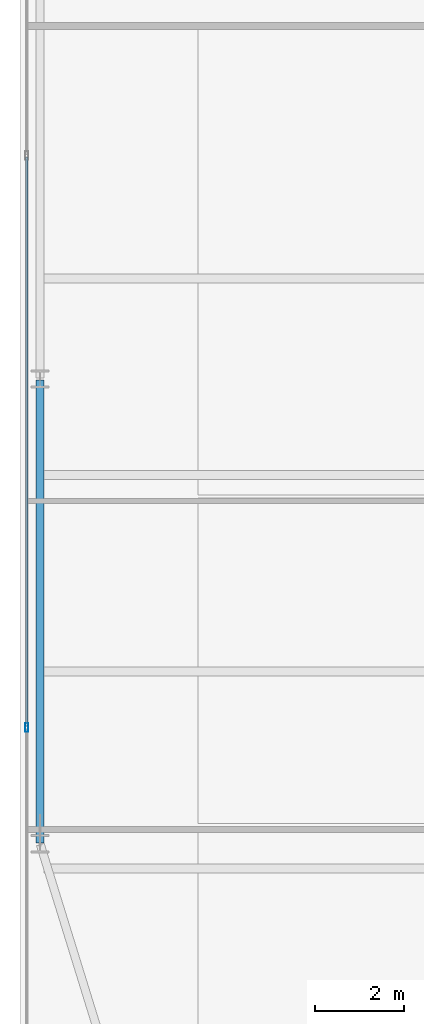
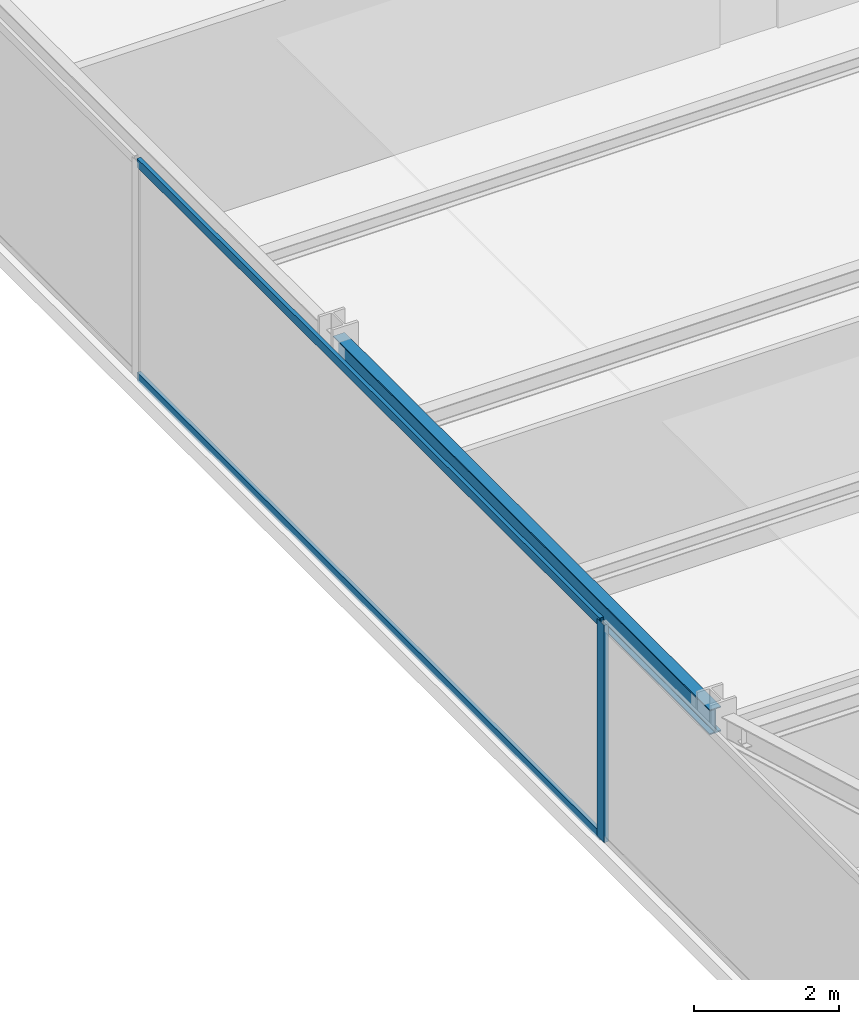
# One storey, part 8 of 32: 3 members, 1 beam, 1 element without a shape of its own.
"""IFC4 building model written with IfcOpenShell, lengths in metres."""

from ifc_helpers import new_model, si_unit, direction, frame, origin, origin_2d, place, context, subcontext, project, spatial, hollow_rectangle, i_section, extrude, source, transform, mapped, material, layer, layer_set, material_profile, profile_set, type_object, type_shapes, element, aggregate, save


model = new_model("IFC4")

# Units and contexts
model_context = context("Model", 3, precision=1e-05, world=origin(), true_north=direction((0.0, 1.0)))
body_context = subcontext(model_context, "Body", "Model", "MODEL_VIEW")
ifc_project = project(units=[si_unit("LENGTHUNIT", "METRE"), si_unit("AREAUNIT", "SQUARE_METRE"), si_unit("VOLUMEUNIT", "CUBIC_METRE"), si_unit("PLANEANGLEUNIT", "RADIAN"), si_unit("MASSUNIT", "GRAM", prefix="KILO")], contexts=[model_context])

# Site, building, storey
site_placement = place(None, origin())
site = spatial("IfcSite", under=ifc_project, at=site_placement, CompositionType="ELEMENT")
building_placement = place(site_placement, origin())
building = spatial("IfcBuilding", under=site, at=building_placement, Name="Varnel Quay Broadcast Tower", CompositionType="ELEMENT")
storey_placement = place(building_placement, frame((0.0, 0.0, 54.89990234375)))
storey = spatial("IfcBuildingStorey", under=building, at=storey_placement, Name="L12", CompositionType="ELEMENT", Elevation=54.89990234375)

# Beam
ifc_material_1 = material(Name="Structural Steel CSA G40.21 350W", Category="steel")
ifc_material_profile_1 = material_profile(ifc_material_1, i_section(OverallWidth=0.180908203125, OverallDepth=0.4169921875, WebThickness=0.010986328125, FlangeThickness=0.018310546875, FilletRadius=0.011962890625, at=origin_2d()), Name="W410X85")
ifc_profile_set_1 = profile_set([ifc_material_profile_1], Name="Structural Steel CSA G40.21 350W")
beam_type = type_object("IfcBeamType", Name="Beam_W410X85", PredefinedType="SPANDREL", material=ifc_profile_set_1)
shared_shape_1 = source(origin(), body_context, "Body", "SweptSolid", [
    extrude(i_section(OverallWidth=0.180908203125, OverallDepth=0.4169921875, WebThickness=0.010986328125, FlangeThickness=0.018310546875, FilletRadius=0.011962890625, at=origin_2d()), origin(), (0.0, 0.0, 1.0), 10.35986328125),
])
type_shapes(beam_type, [shared_shape_1])
beam_placement = place(storey_placement, frame((2.449951171875, 15.02001953125, 3.441650390625), z_axis=(0.0, 1.0, 0.0), x_axis=(-1.0, 0.0, 0.0)))
element("IfcBeam", 1, at=beam_placement, inside=storey, type_object=beam_type, Name="L12 West Spandrel TC-W1-TC-W2", PredefinedType="SPANDREL", context=body_context, shape_type="MappedRepresentation", body=[
    mapped(shared_shape_1, transform((0.0, 0.0, 0.0), x_axis=(1.0, 0.0, 0.0), y_axis=(0.0, 1.0, 0.0), z_axis=(0.0, 0.0, 1.0), scale=1.0)),
])

# Curtain wall, members
ifc_material_2 = material(Name="Anodised Bronze Aluminium 6063-T6", Category="aluminium")
ifc_layer = layer(ifc_material_2, 0.18994140625, Name="Anodised Bronze Aluminium 6063-T6")
ifc_layer_set = layer_set([ifc_layer], Name="Anodised Bronze Aluminium 6063-T6")
curtain_wall_type = type_object("IfcCurtainWallType", Name="CW_LowerTower", PredefinedType="NOTDEFINED", material=ifc_layer_set)
curtain_wall_placement = place(storey_placement, origin())
curtain_wall = element("IfcCurtainWall", 2, at=curtain_wall_placement, inside=storey, type_object=curtain_wall_type, Name="L12 West Unitised Curtain Wall", PredefinedType="NOTDEFINED")
ifc_material_profile_2 = material_profile(ifc_material_2, hollow_rectangle(XDim=0.06005859375, YDim=0.14501953125, WallThickness=0.00341796875, at=origin_2d()), Name="ALU60X145X3.5")
ifc_profile_set_2 = profile_set([ifc_material_profile_2], Name="Anodised Bronze Aluminium 6063-T6")
member_type_1 = type_object("IfcMemberType", Name="Tran_CWS-02", PredefinedType="USERDEFINED", material=ifc_profile_set_2)
shared_shape_2 = source(origin(), body_context, "Body", "SweptSolid", [
    extrude(hollow_rectangle(XDim=0.06005859375, YDim=0.14501953125, WallThickness=0.00341796875, at=origin_2d()), origin(), (0.0, 0.0, 1.0), 12.72998046875),
])
type_shapes(member_type_1, [shared_shape_2])
member_1_placement = place(storey_placement, frame((2.14990234375, 17.635009765625, 0.030029296875), z_axis=(0.0, 1.0, 0.0), x_axis=(-1.0, 0.0, 0.0)))
member_1 = element("IfcMember", 3, at=member_1_placement, type_object=member_type_1, Name="CWS-02 transom 2.1", ObjectType="TRANSOM", PredefinedType="USERDEFINED", context=body_context, shape_type="MappedRepresentation", body=[
    mapped(shared_shape_2, transform((0.0, 0.0, 0.0), x_axis=(1.0, 0.0, 0.0), y_axis=(0.0, 1.0, 0.0), z_axis=(0.0, 0.0, 1.0), scale=1.0)),
])
member_2_placement = place(storey_placement, frame((2.14990234375, 17.635009765625, 3.6201171875), z_axis=(0.0, 1.0, 0.0), x_axis=(-1.0, 0.0, 0.0)))
member_2 = element("IfcMember", 4, at=member_2_placement, type_object=member_type_1, Name="CWS-02 transom 2.2", ObjectType="TRANSOM", PredefinedType="USERDEFINED", context=body_context, shape_type="MappedRepresentation", body=[
    mapped(shared_shape_2, transform((0.0, 0.0, 0.0), x_axis=(1.0, 0.0, 0.0), y_axis=(0.0, 1.0, 0.0), z_axis=(0.0, 0.0, 1.0), scale=1.0)),
])
ifc_material_profile_3 = material_profile(ifc_material_2, hollow_rectangle(XDim=0.070068359375, YDim=0.18994140625, WallThickness=0.00390625, at=origin_2d()), Name="ALU70X190X4")
ifc_profile_set_3 = profile_set([ifc_material_profile_3], Name="Anodised Bronze Aluminium 6063-T6")
member_type_2 = type_object("IfcMemberType", Name="Mull_CWS-02", PredefinedType="MULLION", material=ifc_profile_set_3)
shared_shape_3 = source(origin(), body_context, "Body", "SweptSolid", [
    extrude(hollow_rectangle(XDim=0.070068359375, YDim=0.18994140625, WallThickness=0.00390625, at=origin_2d()), origin(), (0.0, 0.0, 1.0), 3.650146484375),
])
type_shapes(member_type_2, [shared_shape_3])
member_3_placement = place(storey_placement, frame((2.14990234375, 17.60009765625, 0.0), z_axis=(0.0, 0.0, 1.0), x_axis=(-1.0, 0.0, 0.0)))
member_3 = element("IfcMember", 5, at=member_3_placement, type_object=member_type_2, Name="CWS-02 mullion 2", PredefinedType="MULLION", context=body_context, shape_type="MappedRepresentation", body=[
    mapped(shared_shape_3, transform((0.0, 0.0, 0.0), x_axis=(1.0, 0.0, 0.0), y_axis=(0.0, 1.0, 0.0), z_axis=(0.0, 0.0, 1.0), scale=1.0)),
])
aggregate(curtain_wall, [member_3, member_1, member_2])

save(model, "model.ifc")
